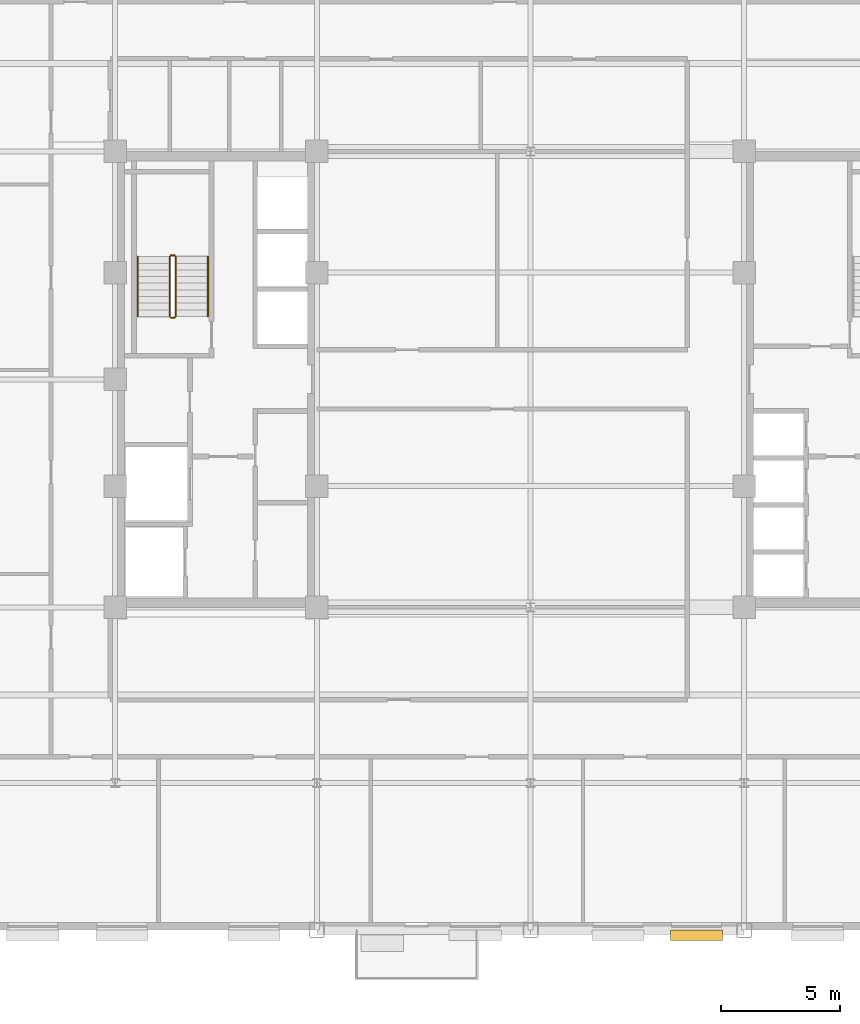
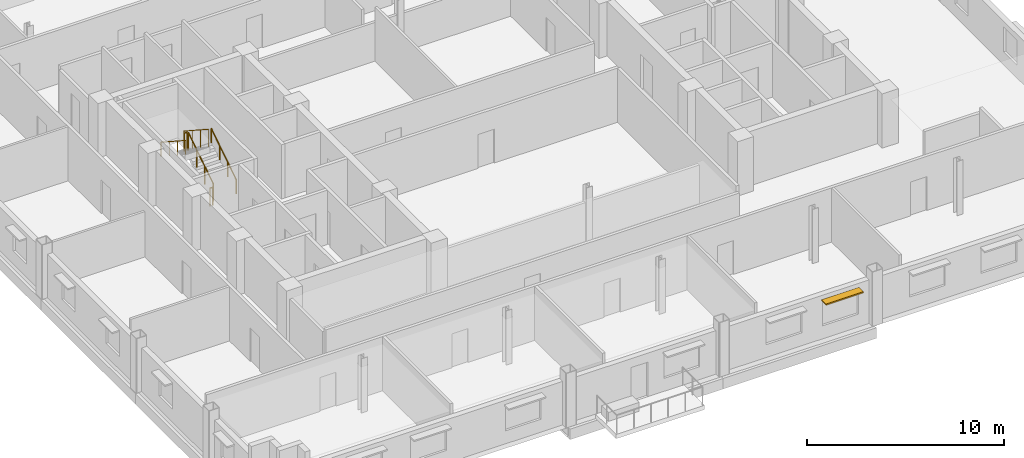
# One storey, part 12 of 14: 6 railings, 1 shading device.
"""IFC4 building model written with IfcOpenShell, lengths in metres."""

import ifcopenshell
import ifcopenshell.guid

model = None  # the IFC model being written
_history = None  # IfcOwnerHistory: only IFC2X3 demands one
_inside = {}  # id of a spatial element -> (the spatial element, [elements in it])
_under = {}  # id of a project, library or spatial element -> (it, [spatial elements below it])
_declared = {}  # id of a project -> (the project, [libraries it declares])
_typed = {}  # id of a type object -> (the type object, [elements of that type])
_made_of = {}  # id of a material, layer set ... -> (it, [elements and type objects made of it])


def new_model(schema):
    """Start an empty IFC model of exactly this schema.

    Asked for "IFC4X3", IfcOpenShell would pick the latest addendum, in which some entities
    have other attributes; the version numbers below select the first issue.
    IFC2X3 requires an IfcOwnerHistory on every rooted entity: one is made here for all.
    """
    global model, _history
    if schema == "IFC4X3":
        model = ifcopenshell.file(schema_version=(4, 3, 0, 0))
    else:
        model = ifcopenshell.file(schema=schema)
    _inside.clear()
    _under.clear()
    _declared.clear()
    _typed.clear()
    _made_of.clear()
    _history = None
    if model.schema == "IFC2X3":
        org = make("IfcOrganization", Name="unknown")
        user = make(
            "IfcPersonAndOrganization",
            ThePerson=make("IfcPerson", FamilyName="unknown"),
            TheOrganization=org,
        )
        app = make(
            "IfcApplication",
            ApplicationDeveloper=org,
            Version="unknown",
            ApplicationFullName="unknown",
            ApplicationIdentifier="unknown",
        )
        _history = make(
            "IfcOwnerHistory",
            OwningUser=user,
            OwningApplication=app,
            ChangeAction="ADDED",
            CreationDate=0,
        )
    return model


def make(cls, **values):
    """One entity of the class cls with the attributes given. An attribute that is None is left unset."""
    return model.create_entity(
        cls, **{name: value for name, value in values.items() if value is not None}
    )


def rooted(cls, **values):
    """An entity with a GlobalId (a new one), such as an element, a storey or a relation."""
    return make(cls, GlobalId=ifcopenshell.guid.new(), OwnerHistory=_history, **values)


def si_unit(unit_type, name, prefix=None):
    """IfcSIUnit, for example si_unit("LENGTHUNIT", "METRE", prefix="MILLI")."""
    return make("IfcSIUnit", UnitType=unit_type, Prefix=prefix, Name=name)


def assignment(units):
    """IfcUnitAssignment: the units of a project."""
    return None if units is None else make("IfcUnitAssignment", Units=units)


def point(xyz):
    """IfcCartesianPoint."""
    return None if xyz is None else make("IfcCartesianPoint", Coordinates=xyz)


def direction(xyz):
    """IfcDirection."""
    return None if xyz is None else make("IfcDirection", DirectionRatios=xyz)


def frame(location, z_axis=None, x_axis=None):
    """IfcAxis2Placement3D, a coordinate frame: its origin and axes. An axis left out is left unset."""
    return make(
        "IfcAxis2Placement3D",
        Location=point(location),
        Axis=direction(z_axis),
        RefDirection=direction(x_axis),
    )


def frame_2d(location, x_axis=None):
    """IfcAxis2Placement2D, a coordinate frame in the plane: its origin and x axis."""
    return make(
        "IfcAxis2Placement2D", Location=point(location), RefDirection=direction(x_axis)
    )


def origin():
    """The frame at (0, 0, 0) with its axes left unset."""
    return frame((0.0, 0.0, 0.0))


def origin_2d():
    """The frame at (0, 0) in the plane with its x axis left unset."""
    return frame_2d((0.0, 0.0))


def place(relative_to, where):
    """IfcLocalPlacement: puts the frame where relative to a parent placement (None: the world)."""
    return make(
        "IfcLocalPlacement", PlacementRelTo=relative_to, RelativePlacement=where
    )


def context(
    kind, dimensions, precision=None, world=None, true_north=None, identifier=None
):
    """IfcGeometricRepresentationContext, for example the 3D "Model" context."""
    return make(
        "IfcGeometricRepresentationContext",
        ContextIdentifier=identifier,
        ContextType=kind,
        CoordinateSpaceDimension=dimensions,
        Precision=precision,
        WorldCoordinateSystem=world,
        TrueNorth=true_north,
    )


def subcontext(parent, identifier, kind, view, scale=None):
    """IfcGeometricRepresentationSubContext, for example "Body" below "Model"."""
    return make(
        "IfcGeometricRepresentationSubContext",
        ContextIdentifier=identifier,
        ContextType=kind,
        ParentContext=parent,
        TargetScale=scale,
        TargetView=view,
    )


def project(units=None, contexts=None):
    """IfcProject with its units and contexts."""
    return rooted(
        "IfcProject",
        Name="project",
        RepresentationContexts=contexts,
        UnitsInContext=assignment(units),
    )


def spatial(cls, under=None, at=None, **own):
    """A site, building, storey or space (cls), placed at a placement, below another one or the project."""
    s = rooted(cls, ObjectPlacement=at, **own)
    if under is not None:
        _under.setdefault(under.id(), (under, []))[1].append(s)
    return s


def profile(cls, at=None, kind="AREA", **sizes):
    """A parametric profile (cls). Its sizes go by their IFC names, for example OverallWidth=200.0."""
    return make(cls, ProfileType=kind, Position=at, **sizes)


def rectangle(**sizes):
    """IfcRectangleProfileDef."""
    return profile("IfcRectangleProfileDef", **sizes)


def circle(**sizes):
    """IfcCircleProfileDef."""
    return profile("IfcCircleProfileDef", **sizes)


def extrude(swept, where, along, depth):
    """IfcExtrudedAreaSolid: the profile swept, set in the frame where, extruded along a direction by depth."""
    return make(
        "IfcExtrudedAreaSolid",
        SweptArea=swept,
        Position=where,
        ExtrudedDirection=direction(along),
        Depth=depth,
    )


def shape(context_of_items, identifier, shape_type, items):
    """IfcShapeRepresentation: the items that make up one representation, for example the "Body"."""
    return make(
        "IfcShapeRepresentation",
        ContextOfItems=context_of_items,
        RepresentationIdentifier=identifier,
        RepresentationType=shape_type,
        Items=items,
    )


def source(mapping_origin, context_of_items, identifier, shape_type, items):
    """IfcRepresentationMap: a shape defined once, which mapped items show again and again."""
    return make(
        "IfcRepresentationMap",
        MappingOrigin=mapping_origin,
        MappedRepresentation=shape(context_of_items, identifier, shape_type, items),
    )


def transform(
    local_origin,
    x_axis=None,
    y_axis=None,
    z_axis=None,
    scale=None,
    scale2=None,
    scale3=None,
    uniform=True,
):
    """IfcCartesianTransformationOperator3D, or its non-uniform kind. x_axis, y_axis, z_axis: its Axis1, 2, 3."""
    if uniform:
        return make(
            "IfcCartesianTransformationOperator3D",
            Axis1=direction(x_axis),
            Axis2=direction(y_axis),
            LocalOrigin=point(local_origin),
            Scale=scale,
            Axis3=direction(z_axis),
        )
    return make(
        "IfcCartesianTransformationOperator3DnonUniform",
        Axis1=direction(x_axis),
        Axis2=direction(y_axis),
        LocalOrigin=point(local_origin),
        Scale=scale,
        Axis3=direction(z_axis),
        Scale2=scale2,
        Scale3=scale3,
    )


def mapped(mapping_source, mapping_target):
    """IfcMappedItem: shows the shape of a source again, moved by a transform."""
    return make(
        "IfcMappedItem", MappingSource=mapping_source, MappingTarget=mapping_target
    )


def material(Name=None, Category=None):
    """IfcMaterial."""
    return make("IfcMaterial", Name=Name, Category=Category)


def made_of(thing, what):
    """Note that an element or type object is made of a material, layer set ...; save() writes the relation."""
    if what is not None:
        _made_of.setdefault(what.id(), (what, []))[1].append(thing)
    return thing


def type_object(cls, material=None, **own):
    """A type object (cls), such as IfcWallType, which elements share."""
    return made_of(rooted(cls, **own), material)


def type_shapes(of_type, sources):
    """Give a type object the sources (RepresentationMaps) that its elements show as mapped items."""
    of_type.RepresentationMaps = sources


def element(
    cls,
    number,
    at=None,
    inside=None,
    cuts=None,
    type_object=None,
    material=None,
    context=None,
    identifier="Body",
    shape_type=None,
    held_by="IfcProductDefinitionShape",
    body=None,
    shapes=None,
    **own,
):
    """One element of the class cls, such as IfcWall. Its Tag is "e" and its number.

    at: its placement. inside: the storey or other place that contains it. cuts: it is an
    opening in that element (IfcRelVoidsElement). A single representation is given by context,
    identifier, shape_type and body (its items); several are given by shapes. held_by: the class
    of the entity that holds the representations. save() writes the other relations.
    """
    e = rooted(cls, Tag="e%d" % number, ObjectPlacement=at, **own)
    if body is not None:
        shapes = [shape(context, identifier, shape_type, body)]
    if shapes is not None:
        e.Representation = make(held_by, Representations=shapes)
    if inside is not None:
        _inside.setdefault(inside.id(), (inside, []))[1].append(e)
    if cuts is not None:
        rooted(
            "IfcRelVoidsElement", RelatingBuildingElement=cuts, RelatedOpeningElement=e
        )
    if type_object is not None:
        _typed.setdefault(type_object.id(), (type_object, []))[1].append(e)
    return made_of(e, material)


def aggregate(whole, parts):
    """IfcRelAggregates: a whole, such as a stair, and the parts it consists of."""
    return rooted("IfcRelAggregates", RelatingObject=whole, RelatedObjects=parts)


def save(model, path):
    """Write the relations noted so far, then the file.

    IfcRelAggregates (storeys below a building ...), IfcRelContainedInSpatialStructure (elements
    in a storey), IfcRelDefinesByType, IfcRelAssociatesMaterial and IfcRelDeclares: one each for
    every whole, place, type object, material and project.
    """
    for whole, parts in _under.values():
        aggregate(whole, parts)
    for where, things in _inside.values():
        rooted(
            "IfcRelContainedInSpatialStructure",
            RelatedElements=things,
            RelatingStructure=where,
        )
    for kind, things in _typed.values():
        rooted("IfcRelDefinesByType", RelatedObjects=things, RelatingType=kind)
    for what, things in _made_of.values():
        rooted("IfcRelAssociatesMaterial", RelatedObjects=things, RelatingMaterial=what)
    for by, libraries in _declared.values():
        rooted("IfcRelDeclares", RelatingContext=by, RelatedDefinitions=libraries)
    model.write(path)


model = new_model("IFC4")

# Units and contexts
model_context = context("Model", 3, precision=1e-05, world=origin(), true_north=direction((0.0, 1.0)))
body_context = subcontext(model_context, "Body", "Model", "MODEL_VIEW")
ifc_project = project(units=[si_unit("LENGTHUNIT", "METRE"), si_unit("AREAUNIT", "SQUARE_METRE"), si_unit("VOLUMEUNIT", "CUBIC_METRE"), si_unit("PLANEANGLEUNIT", "RADIAN"), si_unit("MASSUNIT", "GRAM", prefix="KILO")], contexts=[model_context])

# Site, building, storey
site_placement = place(None, origin())
site = spatial("IfcSite", under=ifc_project, at=site_placement, CompositionType="ELEMENT")
building_placement = place(site_placement, origin())
building = spatial("IfcBuilding", under=site, at=building_placement, Name="Nuvemarco Arch Tower", CompositionType="ELEMENT")
storey_placement = place(building_placement, frame((0.0, 0.0, 160.35009765625)))
storey = spatial("IfcBuildingStorey", under=building, at=storey_placement, Name="L42", CompositionType="ELEMENT", Elevation=160.35009765625)

# Railings
ifc_material_1 = material(Name="Brushed stainless steel handrail", Category="steel")
railing_type_1 = type_object("IfcRailingType", Name="RL-HANDRAIL-900", PredefinedType="HANDRAIL", material=ifc_material_1)
railing_1_placement = place(storey_placement, frame((-13.590087890625, 2.64990234375, 0.182373046875)))
element("IfcRailing", 1, at=railing_1_placement, inside=storey, type_object=railing_type_1, Name="L42 ST-1 stair handrail 1", PredefinedType="HANDRAIL", context=body_context, shape_type="SweptSolid", body=[
    extrude(circle(Radius=0.02392578125, at=origin_2d()), frame((0.0, 0.0, 0.8759765625), z_axis=(0.0, 0.837749427056, 0.546054848405), x_axis=(-1.0, 0.0, 0.0)), (0.0, 0.0, 1.0), 3.008056640625),
    extrude(circle(Radius=0.02099609375, at=origin_2d()), origin(), (0.0, 0.0, 1.0), 0.851806640625),
    extrude(circle(Radius=0.02099609375, at=origin_2d()), frame((0.0, 0.840087890625, 0.547607421875)), (0.0, 0.0, 1.0), 0.851806640625),
    extrude(circle(Radius=0.02099609375, at=origin_2d()), frame((0.0, 1.679931640625, 1.094970703125)), (0.0, 0.0, 1.0), 0.851806640625),
    extrude(circle(Radius=0.02099609375, at=origin_2d()), frame((0.0, 2.52001953125, 1.642578125)), (0.0, 0.0, 1.0), 0.851806640625),
])
railing_2_placement = place(storey_placement, frame((-16.550048828125, 5.169921875, 2.00732421875)))
element("IfcRailing", 2, at=railing_2_placement, inside=storey, type_object=railing_type_1, Name="L42 ST-1 stair handrail 2", PredefinedType="HANDRAIL", context=body_context, shape_type="SweptSolid", body=[
    extrude(circle(Radius=0.02392578125, at=origin_2d()), frame((0.0, 0.0, 0.8759765625), z_axis=(0.0, -0.837749427056, 0.546054848405), x_axis=(1.0, 0.0, 0.0)), (0.0, 0.0, 1.0), 3.008056640625),
    extrude(circle(Radius=0.02099609375, at=origin_2d()), origin(), (0.0, 0.0, 1.0), 0.851806640625),
    extrude(circle(Radius=0.02099609375, at=origin_2d()), frame((0.0, -0.840087890625, 0.547607421875)), (0.0, 0.0, 1.0), 0.851806640625),
    extrude(circle(Radius=0.02099609375, at=origin_2d()), frame((0.0, -1.679931640625, 1.094970703125)), (0.0, 0.0, 1.0), 0.851806640625),
    extrude(circle(Radius=0.02099609375, at=origin_2d()), frame((0.0, -2.52001953125, 1.642578125)), (0.0, 0.0, 1.0), 0.851806640625),
])
ifc_material_2 = material(Name="Painted balustrade steel S355", Category="steel")
railing_type_2 = type_object("IfcRailingType", Name="RL-STAIR-GUARD", PredefinedType="GUARDRAIL", material=ifc_material_2)
railing_3_placement = place(storey_placement, frame((-14.93994140625, 2.64990234375, 0.182373046875)))
element("IfcRailing", 3, at=railing_3_placement, inside=storey, type_object=railing_type_2, Name="L42 ST-1 stair guard 1", PredefinedType="GUARDRAIL", context=body_context, shape_type="SweptSolid", body=[
    extrude(circle(Radius=0.02392578125, at=origin_2d()), frame((0.0, 0.0, 1.09619140625), z_axis=(0.0, 0.837749427056, 0.546054848405), x_axis=(-1.0, 0.0, 0.0)), (0.0, 0.0, 1.0), 3.008056640625),
    extrude(circle(Radius=0.02099609375, at=origin_2d()), origin(), (0.0, 0.0, 1.0), 1.072021484375),
    extrude(circle(Radius=0.02099609375, at=origin_2d()), frame((0.0, 0.840087890625, 0.547607421875)), (0.0, 0.0, 1.0), 1.072021484375),
    extrude(circle(Radius=0.02099609375, at=origin_2d()), frame((0.0, 1.679931640625, 1.094970703125)), (0.0, 0.0, 1.0), 1.072021484375),
    extrude(circle(Radius=0.02099609375, at=origin_2d()), frame((0.0, 2.52001953125, 1.642578125)), (0.0, 0.0, 1.0), 1.072021484375),
])
railing_4_placement = place(storey_placement, frame((-14.989990234375, 5.219970703125, 1.824951171875)))
element("IfcRailing", 4, at=railing_4_placement, inside=storey, type_object=railing_type_2, Name="L42 ST-1 stair guard 2", PredefinedType="GUARDRAIL", context=body_context, shape_type="SweptSolid", body=[
    extrude(circle(Radius=0.02392578125, at=origin_2d()), frame((0.0, 0.0, 1.09619140625), z_axis=(-1.0, 0.0, 0.0), x_axis=(0.0, -1.0, 0.0)), (0.0, 0.0, 1.0), 0.159912109375),
    extrude(circle(Radius=0.02099609375, at=origin_2d()), origin(), (0.0, 0.0, 1.0), 1.072021484375),
    extrude(circle(Radius=0.02099609375, at=origin_2d()), frame((-0.159912109375, 0.0, 0.0)), (0.0, 0.0, 1.0), 1.072021484375),
])
railing_5_placement = place(storey_placement, frame((-15.199951171875, 5.169921875, 2.00732421875)))
element("IfcRailing", 5, at=railing_5_placement, inside=storey, type_object=railing_type_2, Name="L42 ST-1 stair guard 3", PredefinedType="GUARDRAIL", context=body_context, shape_type="SweptSolid", body=[
    extrude(circle(Radius=0.02392578125, at=origin_2d()), frame((0.0, 0.0, 1.09619140625), z_axis=(0.0, -0.837749427056, 0.546054848405), x_axis=(1.0, 0.0, 0.0)), (0.0, 0.0, 1.0), 3.008056640625),
    extrude(circle(Radius=0.02099609375, at=origin_2d()), origin(), (0.0, 0.0, 1.0), 1.072021484375),
    extrude(circle(Radius=0.02099609375, at=origin_2d()), frame((0.0, -0.840087890625, 0.547607421875)), (0.0, 0.0, 1.0), 1.072021484375),
    extrude(circle(Radius=0.02099609375, at=origin_2d()), frame((0.0, -1.679931640625, 1.094970703125)), (0.0, 0.0, 1.0), 1.072021484375),
    extrude(circle(Radius=0.02099609375, at=origin_2d()), frame((0.0, -2.52001953125, 1.642578125)), (0.0, 0.0, 1.0), 1.072021484375),
])
railing_6_placement = place(storey_placement, frame((-14.989990234375, 2.60009765625, 0.0)))
element("IfcRailing", 6, at=railing_6_placement, inside=storey, type_object=railing_type_2, Name="L42 ST-1 stair guard 4", PredefinedType="GUARDRAIL", context=body_context, shape_type="SweptSolid", body=[
    extrude(circle(Radius=0.02392578125, at=origin_2d()), frame((0.0, 0.0, 1.09619140625), z_axis=(-1.0, 0.0, 0.0), x_axis=(0.0, -1.0, 0.0)), (0.0, 0.0, 1.0), 0.159912109375),
    extrude(circle(Radius=0.02099609375, at=origin_2d()), origin(), (0.0, 0.0, 1.0), 1.072021484375),
    extrude(circle(Radius=0.02099609375, at=origin_2d()), frame((-0.159912109375, 0.0, 0.0)), (0.0, 0.0, 1.0), 1.072021484375),
])

# Shading device
ifc_material_3 = material(Name="Anodised aluminium 6063-T6", Category="aluminium")
shading_device_type = type_object("IfcShadingDeviceType", Name="SHD-BRISE-SOLEIL", PredefinedType="USERDEFINED", material=ifc_material_3)
shared_shape = source(origin(), body_context, "Body", "SweptSolid", [
    extrude(rectangle(XDim=2.199951171875, YDim=0.449951171875, at=origin_2d()), origin(), (0.0, 0.0, 1.0), 0.080078125),
])
type_shapes(shading_device_type, [shared_shape])
shading_device_placement = place(storey_placement, frame((6.989990234375, -23.4150390625, 2.36474609375), z_axis=(0.0, 0.0, 1.0), x_axis=(1.0, 0.0, 0.0)))
element("IfcShadingDevice", 7, at=shading_device_placement, inside=storey, type_object=shading_device_type, Name="L42 horizontal brise-soleil sunshade", ObjectType="SUNSHADE", PredefinedType="USERDEFINED", context=body_context, shape_type="MappedRepresentation", body=[
    mapped(shared_shape, transform((0.0, 0.0, 0.0), scale=1.0)),
])

save(model, "model.ifc")
